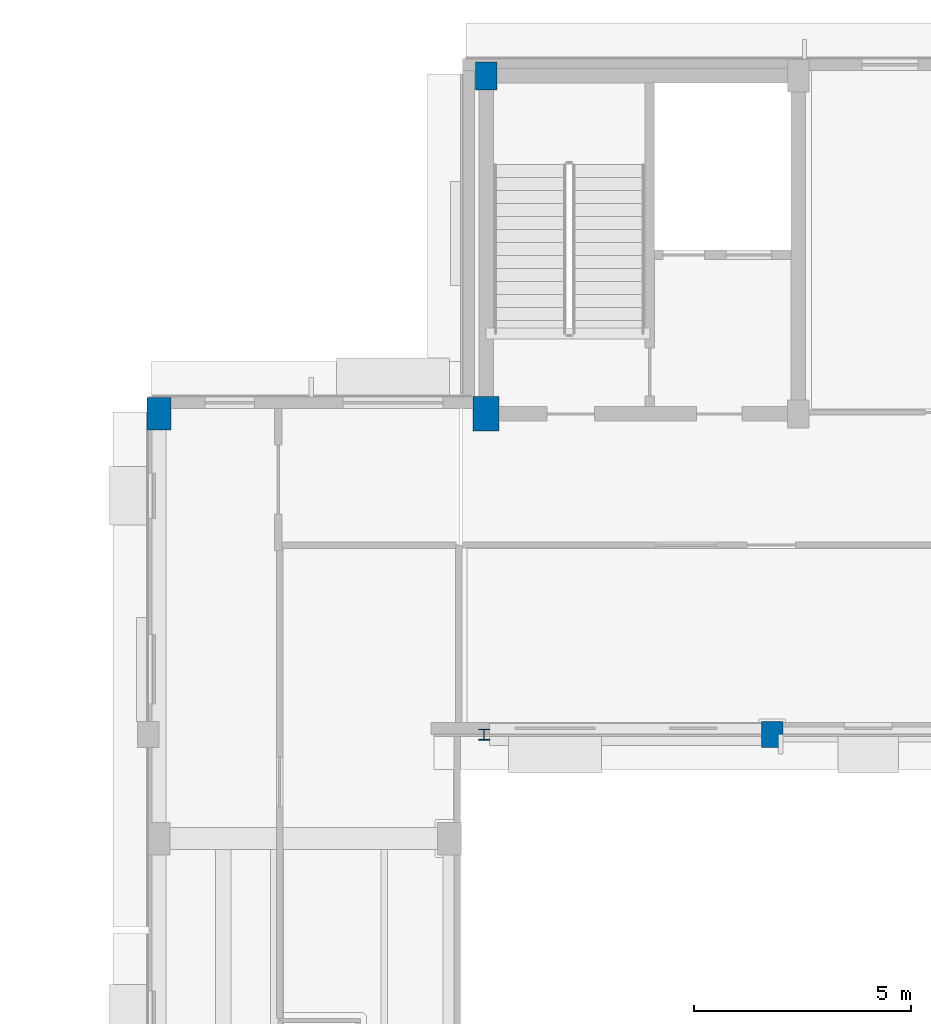
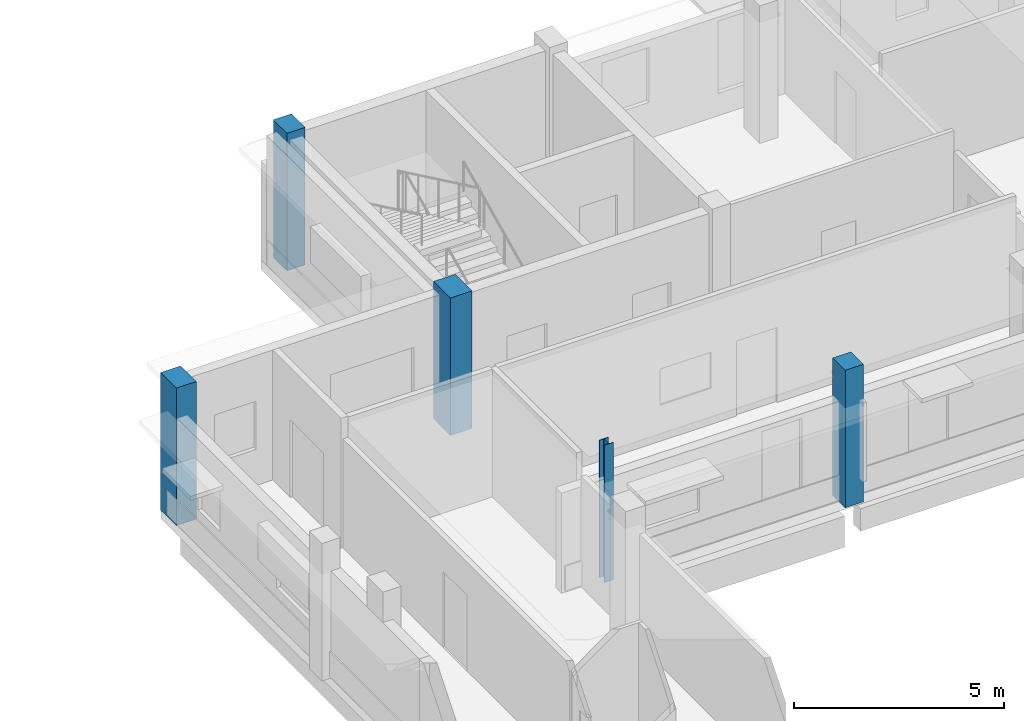
# One storey, part 12 of 92: 5 columns.
"""IFC4 building model written with IfcOpenShell, lengths in metres."""

from ifc_helpers import new_model, si_unit, direction, frame, origin, origin_2d, place, context, subcontext, project, spatial, rectangle, i_section, extrude, material, material_profile, profile_set, type_object, element, save


model = new_model("IFC4")

# Units and contexts
model_context = context("Model", 3, precision=1e-05, world=origin(), true_north=direction((0.0, 1.0)))
body_context = subcontext(model_context, "Body", "Model", "MODEL_VIEW")
ifc_project = project(units=[si_unit("LENGTHUNIT", "METRE"), si_unit("AREAUNIT", "SQUARE_METRE"), si_unit("VOLUMEUNIT", "CUBIC_METRE"), si_unit("PLANEANGLEUNIT", "RADIAN"), si_unit("MASSUNIT", "GRAM", prefix="KILO")], contexts=[model_context])

# Site, building, storey
site_placement = place(None, origin())
site = spatial("IfcSite", under=ifc_project, at=site_placement, CompositionType="ELEMENT")
building_placement = place(site_placement, origin())
building = spatial("IfcBuilding", under=site, at=building_placement, Name="Kelanivale Promenade Academy", CompositionType="ELEMENT")
storey_placement = place(building_placement, frame((0.0, 0.0, 8.199951171875)))
storey = spatial("IfcBuildingStorey", under=building, at=storey_placement, Name="L02", CompositionType="ELEMENT", Elevation=8.199951171875)

# Columns
ifc_material_1 = material(Name="Concrete C40/50", Category="concrete")
ifc_material_profile_1 = material_profile(ifc_material_1, rectangle(XDim=0.5, YDim=0.64990234375, at=origin_2d()), Name="RC-COL 500x650")
ifc_profile_set_1 = profile_set([ifc_material_profile_1], Name="Concrete C40/50")
column_type_1 = type_object("IfcColumnType", Name="C-11 RC-COL 500x650", PredefinedType="COLUMN", material=ifc_profile_set_1)
column_1_placement = place(storey_placement, frame((123.39990234375, 111.60009765625, 0.0), z_axis=(0.0, 0.0, 1.0), x_axis=(1.0, 0.0, 0.0)))
element("IfcColumn", 1, at=column_1_placement, inside=storey, type_object=column_type_1, Name="Column C-11 at (123.4, 111.6) L02", PredefinedType="COLUMN", context=body_context, shape_type="SweptSolid", body=[
    extrude(rectangle(XDim=0.5, YDim=0.64990234375, at=origin_2d()), origin(), (0.0, 0.0, 1.0), 4.0),
])
ifc_material_profile_2 = material_profile(ifc_material_1, rectangle(XDim=0.550048828125, YDim=0.75, at=origin_2d()), Name="RC-COL 550x750")
ifc_profile_set_2 = profile_set([ifc_material_profile_2], Name="Concrete C40/50")
column_type_2 = type_object("IfcColumnType", Name="C-13 RC-COL 550x750", PredefinedType="COLUMN", material=ifc_profile_set_2)
column_2_placement = place(storey_placement, frame((115.85009765625, 103.800048828125, 0.0), z_axis=(0.0, 0.0, 1.0), x_axis=(1.0, 0.0, 0.0)))
element("IfcColumn", 2, at=column_2_placement, inside=storey, type_object=column_type_2, Name="Column C-13 at (115.8, 103.8) L02", PredefinedType="COLUMN", context=body_context, shape_type="SweptSolid", body=[
    extrude(rectangle(XDim=0.550048828125, YDim=0.75, at=origin_2d()), origin(), (0.0, 0.0, 1.0), 4.0),
])
ifc_material_profile_3 = material_profile(ifc_material_1, rectangle(XDim=0.60009765625, YDim=0.800048828125, at=origin_2d()), Name="RC-COL 600x800")
ifc_profile_set_3 = profile_set([ifc_material_profile_3], Name="Concrete C40/50")
column_type_3 = type_object("IfcColumnType", Name="C-14 RC-COL 600x800", PredefinedType="COLUMN", material=ifc_profile_set_3)
column_3_placement = place(storey_placement, frame((123.39990234375, 103.800048828125, 0.0), z_axis=(0.0, 0.0, 1.0), x_axis=(1.0, 0.0, 0.0)))
element("IfcColumn", 3, at=column_3_placement, inside=storey, type_object=column_type_3, Name="Column C-14 at (123.4, 103.8) L02", PredefinedType="COLUMN", context=body_context, shape_type="SweptSolid", body=[
    extrude(rectangle(XDim=0.60009765625, YDim=0.800048828125, at=origin_2d()), origin(), (0.0, 0.0, 1.0), 4.0),
])
ifc_material_profile_4 = material_profile(ifc_material_1, rectangle(XDim=0.5, YDim=0.60009765625, at=origin_2d()), Name="RC-PIL 500x600")
ifc_profile_set_4 = profile_set([ifc_material_profile_4], Name="Concrete C40/50")
column_type_4 = type_object("IfcColumnType", Name="PL-18 RC-PIL 500x600", PredefinedType="PILASTER", material=ifc_profile_set_4)
column_4_placement = place(storey_placement, frame((130.0, 96.39990234375, 0.0), z_axis=(0.0, 0.0, 1.0), x_axis=(1.0, 0.0, 0.0)))
element("IfcColumn", 4, at=column_4_placement, inside=storey, type_object=column_type_4, Name="Column PL-18 at (130.0, 96.4) L02", PredefinedType="PILASTER", context=body_context, shape_type="SweptSolid", body=[
    extrude(rectangle(XDim=0.5, YDim=0.60009765625, at=origin_2d()), origin(), (0.0, 0.0, 1.0), 4.0),
])
ifc_material_2 = material(Name="Steel S355", Category="steel")
ifc_material_profile_5 = material_profile(ifc_material_2, i_section(OverallWidth=0.254638671875, OverallDepth=0.254150390625, WebThickness=0.008544921875, FlangeThickness=0.01416015625, FilletRadius=0.0126953125, at=origin_2d()), Name="UC 254x254x73")
ifc_profile_set_5 = profile_set([ifc_material_profile_5], Name="Steel S355")
column_type_5 = type_object("IfcColumnType", Name="SC-02 UC 254x254x73", PredefinedType="COLUMN", material=ifc_profile_set_5)
column_5_placement = place(storey_placement, frame((123.35009765625, 96.39990234375, 0.0), z_axis=(0.0, 0.0, 1.0), x_axis=(1.0, 0.0, 0.0)))
element("IfcColumn", 5, at=column_5_placement, inside=storey, type_object=column_type_5, Name="Column SC-02 at (123.3, 96.4) L02", PredefinedType="COLUMN", context=body_context, shape_type="SweptSolid", body=[
    extrude(i_section(OverallWidth=0.254638671875, OverallDepth=0.254150390625, WebThickness=0.008544921875, FlangeThickness=0.01416015625, FilletRadius=0.0126953125, at=origin_2d()), origin(), (0.0, 0.0, 1.0), 4.0),
])

save(model, "model.ifc")
